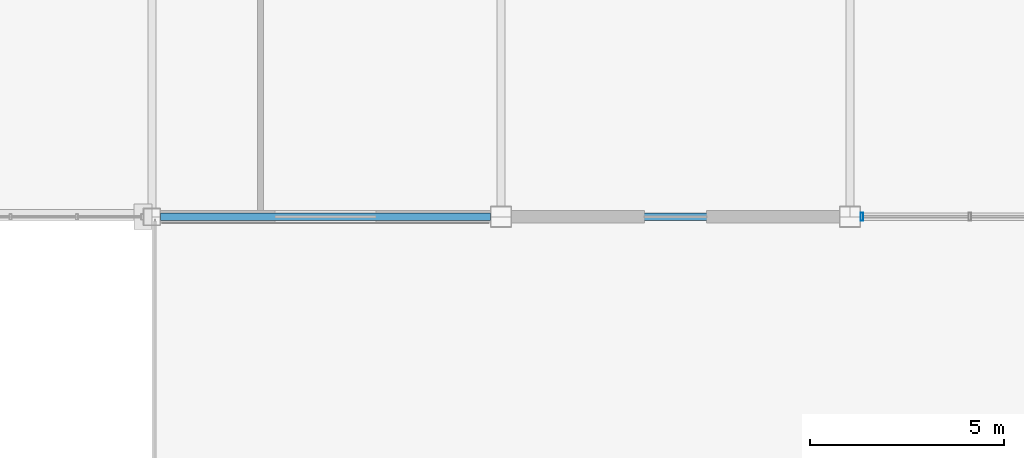
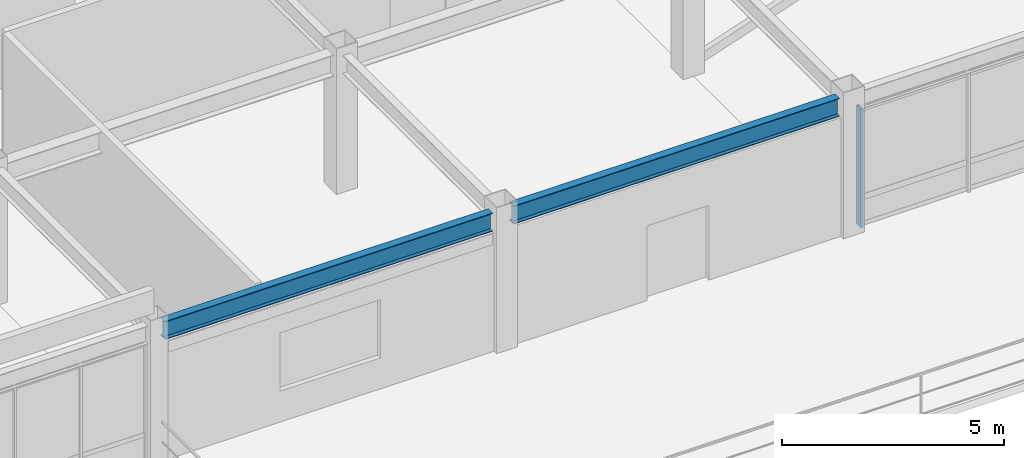
# One storey, part 21 of 122: 2 beams, 1 member, 1 element without a shape of its own.
"""IFC4 building model written with IfcOpenShell, lengths in metres."""

from ifc_helpers import new_model, si_unit, direction, frame, origin, origin_2d, place, context, subcontext, project, spatial, hollow_rectangle, i_section, extrude, material, material_profile, profile_set, type_object, element, aggregate, save


model = new_model("IFC4")

# Units and contexts
model_context = context("Model", 3, precision=1e-05, world=origin(), true_north=direction((0.0, 1.0)))
body_context = subcontext(model_context, "Body", "Model", "MODEL_VIEW")
ifc_project = project(units=[si_unit("LENGTHUNIT", "METRE"), si_unit("AREAUNIT", "SQUARE_METRE"), si_unit("VOLUMEUNIT", "CUBIC_METRE"), si_unit("PLANEANGLEUNIT", "RADIAN"), si_unit("MASSUNIT", "GRAM", prefix="KILO")], contexts=[model_context])

# Site, building, storey
site_placement = place(None, origin())
site = spatial("IfcSite", under=ifc_project, at=site_placement, CompositionType="ELEMENT")
building_placement = place(site_placement, origin())
building = spatial("IfcBuilding", under=site, at=building_placement, Name="Kazanami Central Library", CompositionType="ELEMENT")
storey_placement = place(building_placement, frame((0.0, 0.0, 4.800048828125)))
storey = spatial("IfcBuildingStorey", under=building, at=storey_placement, Name="L02", CompositionType="ELEMENT", Elevation=4.800048828125)

# Beams
ifc_material_1 = material(Name="Steel SN490B (325 MPa)", Category="steel")
ifc_material_profile_1 = material_profile(ifc_material_1, i_section(OverallWidth=0.199951171875, OverallDepth=0.5, WebThickness=0.010009765625, FlangeThickness=0.01611328125, at=origin_2d()), Name="H-500x200x10x16")
ifc_profile_set_1 = profile_set([ifc_material_profile_1], Name="Steel SN490B (325 MPa)")
beam_type = type_object("IfcBeamType", Name="BM-SP-1", PredefinedType="SPANDREL", material=ifc_profile_set_1)
beam_1_placement = place(storey_placement, frame((45.222900390625, 21.60009765625, 3.5048828125), z_axis=(1.0, 0.0, 0.0), x_axis=(0.0, 1.0, 0.0)))
element("IfcBeam", 1, at=beam_1_placement, inside=storey, type_object=beam_type, Name="Girder SP-1 L02 D/6-7", PredefinedType="SPANDREL", context=body_context, shape_type="SweptSolid", body=[
    extrude(i_section(OverallWidth=0.199951171875, OverallDepth=0.5, WebThickness=0.010009765625, FlangeThickness=0.01611328125, at=origin_2d()), origin(), (0.0, 0.0, 1.0), 8.504150390625),
])
beam_2_placement = place(storey_placement, frame((54.27294921875, 21.60009765625, 3.5048828125), z_axis=(1.0, 0.0, 0.0), x_axis=(0.0, 1.0, 0.0)))
element("IfcBeam", 2, at=beam_2_placement, inside=storey, type_object=beam_type, Name="Girder SP-1 L02 D/7-8", PredefinedType="SPANDREL", context=body_context, shape_type="SweptSolid", body=[
    extrude(i_section(OverallWidth=0.199951171875, OverallDepth=0.5, WebThickness=0.010009765625, FlangeThickness=0.01611328125, at=origin_2d()), origin(), (0.0, 0.0, 1.0), 8.4541015625),
])

# Curtain wall, member
ifc_material_2 = material(Name="Acid-Etched Low-E Laminated Glass", Category="glass")
curtain_wall_type = type_object("IfcCurtainWallType", Name="CW-8450x3255-M275", PredefinedType="USERDEFINED", material=ifc_material_2)
curtain_wall_placement = place(storey_placement, origin())
curtain_wall = element("IfcCurtainWall", 3, at=curtain_wall_placement, inside=storey, type_object=curtain_wall_type, Name="Unitised Curtain Wall CW-13 L02 S-D-07", ObjectType="UNITISED CURTAIN WALL", PredefinedType="USERDEFINED")
ifc_material_3 = material(Name="Anodised Aluminium A6063-T5", Category="aluminium")
ifc_material_profile_2 = material_profile(ifc_material_3, hollow_rectangle(XDim=0.070068359375, YDim=0.2099609375, WallThickness=0.0048828125, at=origin_2d()), Name="ALU-MULL-70x210x5")
ifc_profile_set_2 = profile_set([ifc_material_profile_2], Name="Anodised Aluminium A6063-T5")
member_type = type_object("IfcMemberType", Name="MEM-CW-M1", PredefinedType="MULLION", material=ifc_profile_set_2)
member_placement = place(storey_placement, frame((63.31005859375, 21.60009765625, 0.0), z_axis=(0.0, 0.0, 1.0), x_axis=(1.0, 0.0, 0.0)))
member = element("IfcMember", 4, at=member_placement, type_object=member_type, Name="CW-13 mullion 1", PredefinedType="MULLION", context=body_context, shape_type="SweptSolid", body=[
    extrude(hollow_rectangle(XDim=0.070068359375, YDim=0.2099609375, WallThickness=0.0048828125, at=origin_2d()), origin(), (0.0, 0.0, 1.0), 3.2548828125),
])
aggregate(curtain_wall, [member])

save(model, "model.ifc")
